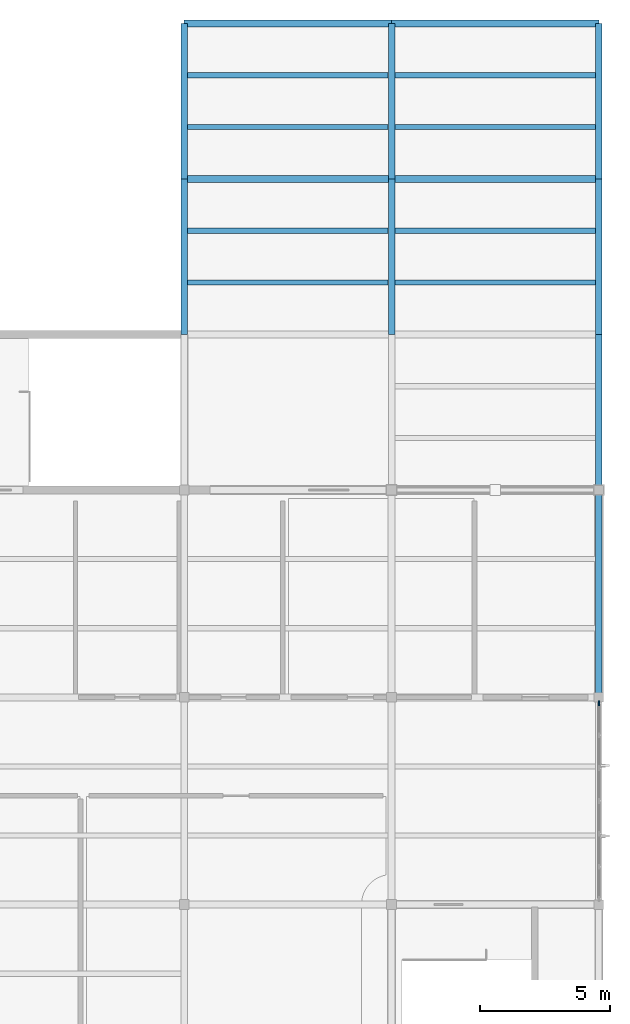
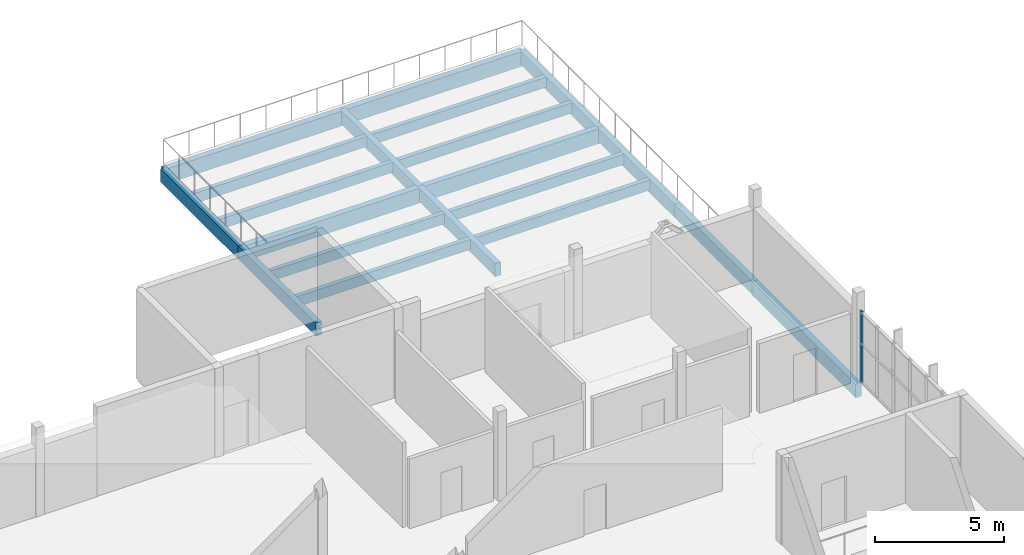
# One storey, part 6 of 15: 20 beams, 1 member, 1 element without a shape of its own.
"""IFC4 building model written with IfcOpenShell, lengths in metres."""

from ifc_helpers import new_model, si_unit, direction, frame, origin, origin_2d, place, context, subcontext, project, spatial, rectangle, extrude, material, layer, layer_set, material_profile, profile_set, type_object, element, aggregate, save


model = new_model("IFC4")

# Units and contexts
model_context = context("Model", 3, precision=1e-05, world=origin(), true_north=direction((0.0, 1.0)))
body_context = subcontext(model_context, "Body", "Model", "MODEL_VIEW")
ifc_project = project(units=[si_unit("LENGTHUNIT", "METRE"), si_unit("AREAUNIT", "SQUARE_METRE"), si_unit("VOLUMEUNIT", "CUBIC_METRE"), si_unit("PLANEANGLEUNIT", "RADIAN"), si_unit("MASSUNIT", "GRAM", prefix="KILO")], contexts=[model_context])

# Site, building, storey
site_placement = place(None, origin())
site = spatial("IfcSite", under=ifc_project, at=site_placement, CompositionType="ELEMENT")
building_placement = place(site_placement, origin())
building = spatial("IfcBuilding", under=site, at=building_placement, Name="Solvane Community Centre", CompositionType="ELEMENT")
storey_placement = place(building_placement, frame((0.0, 0.0, 18.0)))
storey = spatial("IfcBuildingStorey", under=building, at=storey_placement, Name="L04", CompositionType="ELEMENT", Elevation=18.0)

# Curtain wall, member
ifc_material_1 = material(Name="Anodised bronze aluminium AW-6063 T6", Category="aluminium")
ifc_layer = layer(ifc_material_1, 0.199951171875)
ifc_layer_set = layer_set([ifc_layer], Name="Anodised bronze aluminium AW-6063 T6")
curtain_wall_type = type_object("IfcCurtainWallType", Name="Courtyard Cloister Curtain Wall [76x33dm]", PredefinedType="NOTDEFINED", material=ifc_layer_set)
curtain_wall_placement = place(storey_placement, origin())
curtain_wall = element("IfcCurtainWall", 1, at=curtain_wall_placement, inside=storey, type_object=curtain_wall_type, Name="Curtain Wall CW-L04-1400_218-241", PredefinedType="NOTDEFINED")
ifc_material_profile_1 = material_profile(ifc_material_1, rectangle(XDim=0.06005859375, YDim=0.199951171875, at=origin_2d()), Name="CW-M 60x200")
ifc_profile_set_1 = profile_set([ifc_material_profile_1], Name="Anodised bronze aluminium AW-6063 T6")
member_type = type_object("IfcMemberType", Name="Cloister Mullion 60x200", PredefinedType="MULLION", material=ifc_profile_set_1)
member_placement = place(storey_placement, frame((140.0, 21.77490234375, 0.0), z_axis=(0.0, 0.0, 1.0), x_axis=(1.0, 0.0, 0.0)))
member = element("IfcMember", 2, at=member_placement, type_object=member_type, Name="CW03-76x33 mullion 1", PredefinedType="MULLION", context=body_context, shape_type="SweptSolid", body=[
    extrude(rectangle(XDim=0.06005859375, YDim=0.199951171875, at=origin_2d()), origin(), (0.0, 0.0, 1.0), 3.344970703125),
])
aggregate(curtain_wall, [member])

# Beams
ifc_material_2 = material(Name="Glulam GL28h", Category="wood")
ifc_material_profile_2 = material_profile(ifc_material_2, rectangle(XDim=0.25, YDim=0.6201171875, at=origin_2d()), Name="GL28h 250x620")
ifc_profile_set_2 = profile_set([ifc_material_profile_2], Name="Glulam GL28h")
beam_type_1 = type_object("IfcBeamType", Name="Glulam Bay Beam 250x620", PredefinedType="BEAM", material=ifc_profile_set_2)
for number, where, z_axis, x_axis, name in (
    (3, (124.0, 36.0, -0.530029296875), (0.0, 1.0, 0.0), (-1.0, 0.0, 0.0), "Beam BM-L04-1240_360-1240_420"),
    (4, (124.0, 42.0, -0.530029296875), (0.0, 1.0, 0.0), (-1.0, 0.0, 0.0), "Beam BM-L04-1240_420-1240_480"),
    (5, (132.0, 36.0, -0.530029296875), (0.0, 1.0, 0.0), (-1.0, 0.0, 0.0), "Beam BM-L04-1320_360-1320_420"),
    (6, (132.0, 42.0, -0.530029296875), (0.0, 1.0, 0.0), (-1.0, 0.0, 0.0), "Beam BM-L04-1320_420-1320_480"),
    (7, (140.0, 30.0, -0.530029296875), (0.0, 1.0, 0.0), (-1.0, 0.0, 0.0), "Beam BM-L04-1400_300-1400_360"),
    (8, (140.0, 36.0, -0.530029296875), (0.0, 1.0, 0.0), (-1.0, 0.0, 0.0), "Beam BM-L04-1400_360-1400_420"),
    (9, (140.0, 42.0, -0.530029296875), (0.0, 1.0, 0.0), (-1.0, 0.0, 0.0), "Beam BM-L04-1400_420-1400_480"),
):
    element("IfcBeam", number, at=place(storey_placement, frame(where, z_axis=z_axis, x_axis=x_axis)), inside=storey, type_object=beam_type_1, Name=name, PredefinedType="BEAM", context=body_context, shape_type="SweptSolid", body=[
        extrude(rectangle(XDim=0.25, YDim=0.6201171875, at=origin_2d()), origin(), (0.0, 0.0, 1.0), 6.0),
    ])
ifc_material_profile_3 = material_profile(ifc_material_2, rectangle(XDim=0.27001953125, YDim=0.699951171875, at=origin_2d()), Name="GL28h 270x700")
ifc_profile_set_3 = profile_set([ifc_material_profile_3], Name="Glulam GL28h")
beam_type_2 = type_object("IfcBeamType", Name="Glulam Library Girder 270x700", PredefinedType="USERDEFINED", material=ifc_profile_set_3)
for number, where, z_axis, x_axis, name in (
    (10, (124.0, 42.0, -0.570068359375), (1.0, 0.0, 0.0), (0.0, 1.0, 0.0), "Beam BM-L04-1240_420-1320_420"),
    (11, (132.0, 42.0, -0.570068359375), (1.0, 0.0, 0.0), (0.0, 1.0, 0.0), "Beam BM-L04-1320_420-1400_420"),
    (12, (124.0, 48.0, -0.570068359375), (1.0, 0.0, 0.0), (0.0, 1.0, 0.0), "Beam BM-L04-1240_480-1320_480"),
    (13, (132.0, 48.0, -0.570068359375), (1.0, 0.0, 0.0), (0.0, 1.0, 0.0), "Beam BM-L04-1320_480-1400_480"),
):
    element("IfcBeam", number, at=place(storey_placement, frame(where, z_axis=z_axis, x_axis=x_axis)), inside=storey, type_object=beam_type_2, Name=name, ObjectType="GIRDER", PredefinedType="USERDEFINED", context=body_context, shape_type="SweptSolid", body=[
        extrude(rectangle(XDim=0.27001953125, YDim=0.699951171875, at=origin_2d()), origin(), (0.0, 0.0, 1.0), 8.0),
    ])
ifc_material_profile_4 = material_profile(ifc_material_2, rectangle(XDim=0.199951171875, YDim=0.47998046875, at=origin_2d()), Name="GL28h 200x480")
ifc_profile_set_4 = profile_set([ifc_material_profile_4], Name="Glulam GL28h")
beam_type_3 = type_object("IfcBeamType", Name="Glulam Medium Joist 200x480", PredefinedType="JOIST", material=ifc_profile_set_4)
for number, where, z_axis, x_axis, name in (
    (14, (124.1298828125, 38.0, -0.4599609375), (1.0, 0.0, 0.0), (0.0, 1.0, 0.0), "Beam BM-L04-1241_380-1319_380"),
    (15, (124.1298828125, 40.0, -0.4599609375), (1.0, 0.0, 0.0), (0.0, 1.0, 0.0), "Beam BM-L04-1241_400-1319_400"),
    (16, (124.1298828125, 44.0, -0.4599609375), (1.0, 0.0, 0.0), (0.0, 1.0, 0.0), "Beam BM-L04-1241_440-1319_440"),
    (17, (124.1298828125, 46.0, -0.4599609375), (1.0, 0.0, 0.0), (0.0, 1.0, 0.0), "Beam BM-L04-1241_460-1319_460"),
    (18, (132.1298828125, 38.0, -0.4599609375), (1.0, 0.0, 0.0), (0.0, 1.0, 0.0), "Beam BM-L04-1321_380-1399_380"),
    (19, (132.1298828125, 40.0, -0.4599609375), (1.0, 0.0, 0.0), (0.0, 1.0, 0.0), "Beam BM-L04-1321_400-1399_400"),
    (20, (132.1298828125, 44.0, -0.4599609375), (1.0, 0.0, 0.0), (0.0, 1.0, 0.0), "Beam BM-L04-1321_440-1399_440"),
    (21, (132.1298828125, 46.0, -0.4599609375), (1.0, 0.0, 0.0), (0.0, 1.0, 0.0), "Beam BM-L04-1321_460-1399_460"),
):
    element("IfcBeam", number, at=place(storey_placement, frame(where, z_axis=z_axis, x_axis=x_axis)), inside=storey, type_object=beam_type_3, Name=name, PredefinedType="JOIST", context=body_context, shape_type="SweptSolid", body=[
        extrude(rectangle(XDim=0.199951171875, YDim=0.47998046875, at=origin_2d()), origin(), (0.0, 0.0, 1.0), 7.740234375),
    ])
ifc_material_profile_5 = material_profile(ifc_material_2, rectangle(XDim=0.260009765625, YDim=0.639892578125, at=origin_2d()), Name="GL28h 260x640")
ifc_profile_set_5 = profile_set([ifc_material_profile_5], Name="Glulam GL28h")
beam_type_4 = type_object("IfcBeamType", Name="Glulam Studio Beam 260x640", PredefinedType="BEAM", material=ifc_profile_set_5)
beam_placement = place(storey_placement, frame((140.0, 22.0, -0.5400390625), z_axis=(0.0, 1.0, 0.0), x_axis=(-1.0, 0.0, 0.0)))
element("IfcBeam", 22, at=beam_placement, inside=storey, type_object=beam_type_4, Name="Beam BM-L04-1400_220-1400_300", PredefinedType="BEAM", context=body_context, shape_type="SweptSolid", body=[
    extrude(rectangle(XDim=0.260009765625, YDim=0.639892578125, at=origin_2d()), origin(), (0.0, 0.0, 1.0), 8.0),
])

save(model, "model.ifc")
